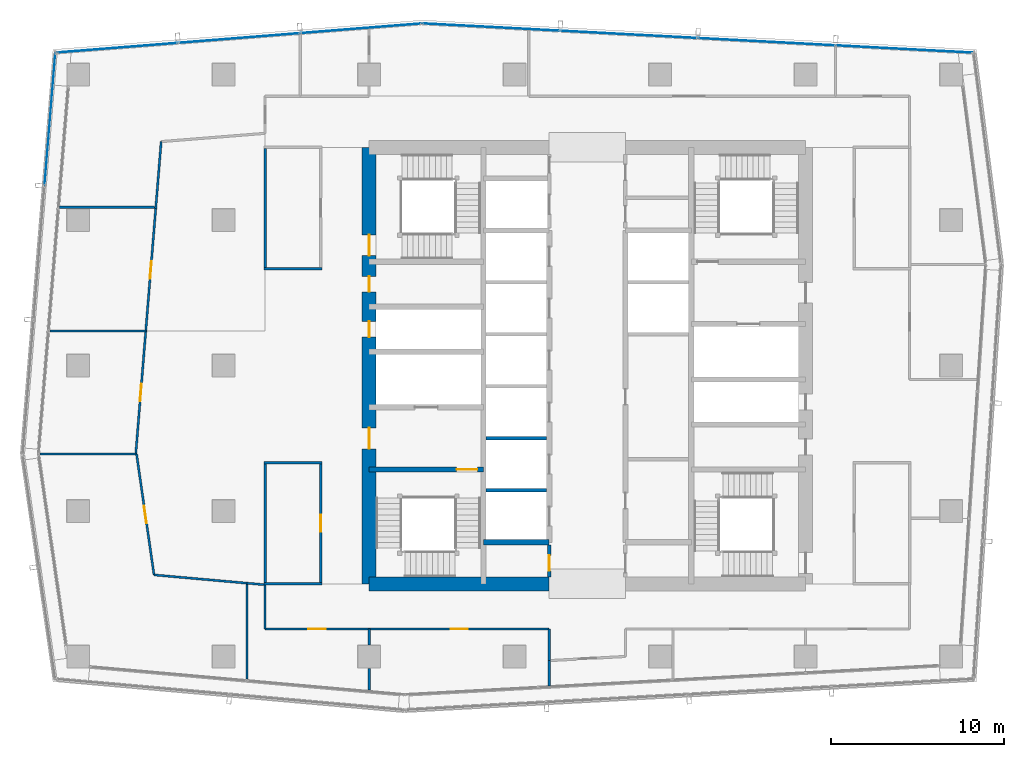
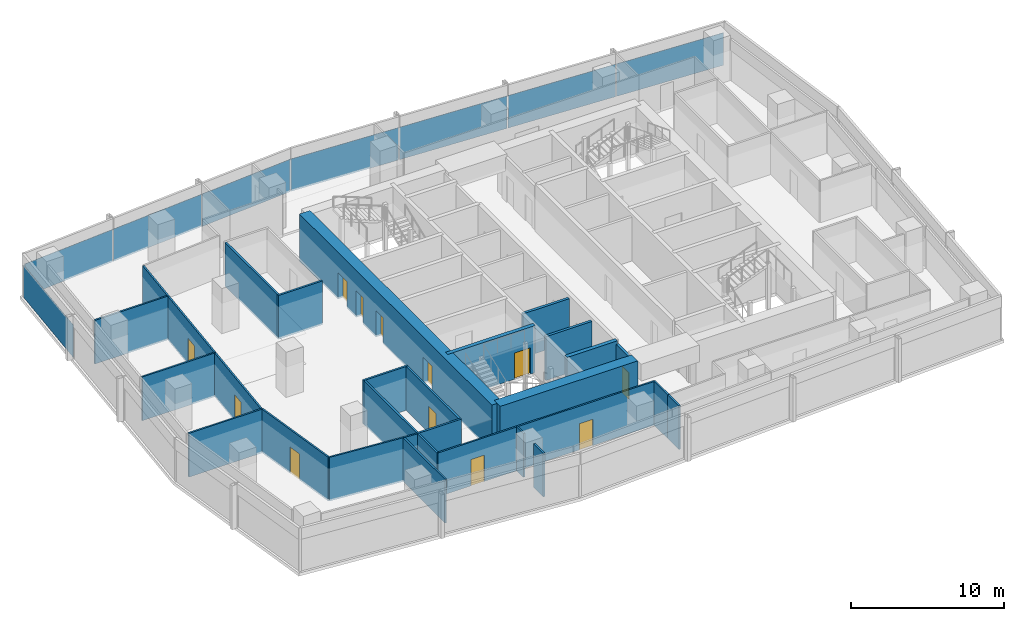
# One storey, part 22 of 29: 30 walls, 12 doors, 8 plates, 12 openings, 3 elements without a shape of their own.
"""IFC4 building model written with IfcOpenShell, lengths in metres."""

from ifc_helpers import new_model, si_unit, direction, frame, frame_2d, origin, origin_2d, place, context, subcontext, project, spatial, rectangle, extrude, material, layer, layer_set, type_object, element, fill, aggregate, save


model = new_model("IFC4")

# Units and contexts
model_context = context("Model", 3, precision=1e-05, world=origin(), true_north=direction((0.0, 1.0)))
body_context = subcontext(model_context, "Body", "Model", "MODEL_VIEW")
ifc_project = project(units=[si_unit("LENGTHUNIT", "METRE"), si_unit("AREAUNIT", "SQUARE_METRE"), si_unit("VOLUMEUNIT", "CUBIC_METRE"), si_unit("PLANEANGLEUNIT", "RADIAN"), si_unit("MASSUNIT", "GRAM", prefix="KILO")], contexts=[model_context])

# Site, building, storey
site_placement = place(None, origin())
site = spatial("IfcSite", under=ifc_project, at=site_placement, CompositionType="ELEMENT")
building_placement = place(site_placement, origin())
building = spatial("IfcBuilding", under=site, at=building_placement, Name="Rekha Terrace Tower", CompositionType="ELEMENT")
storey_placement = place(building_placement, frame((0.0, 0.0, 280.10009765625)))
storey = spatial("IfcBuildingStorey", under=building, at=storey_placement, Name="L71", CompositionType="ELEMENT", Elevation=280.10009765625)

# Curtain wall, plate
ifc_material_1 = material(Name="Aluminium framing", Category="aluminium")
curtain_wall_type_1 = type_object("IfcCurtainWallType", Name="CW2 double skin outer glazing", PredefinedType="USERDEFINED", material=ifc_material_1)
curtain_wall_1_placement = place(storey_placement, origin())
curtain_wall_1 = element("IfcCurtainWall", 1, at=curtain_wall_1_placement, inside=storey, type_object=curtain_wall_type_1, Name="CW2 double skin outer glazing", ObjectType="DOUBLE SKIN OUTER GLAZING", PredefinedType="USERDEFINED")
ifc_material_2 = material(Name="Toughened single glazing 12", Category="glass")
ifc_layer_1 = layer(ifc_material_2, 0.011962890625)
ifc_layer_set_1 = layer_set([ifc_layer_1], Name="Toughened single glazing 12")
plate_type_1 = type_object("IfcPlateType", Name="CW2 jumbo vision panel, toughened single glazing 12", PredefinedType="CURTAIN_PANEL", material=ifc_layer_set_1)
plate_1_placement = place(storey_placement, frame((6.7822265625, 47.813720703125, -0.000244140625), z_axis=(0.0, 0.0, 1.0), x_axis=(-0.081067906816, -0.996708580521, 0.0)))
plate_1 = element("IfcPlate", 2, at=plate_1_placement, type_object=plate_type_1, Name="CW2 panel 1.1", PredefinedType="CURTAIN_PANEL", context=body_context, shape_type="SweptSolid", body=[
    extrude(rectangle(XDim=7.640869140625, YDim=0.011962890625, at=origin_2d()), origin(), (0.0, 0.0, 1.0), 2.60009765625),
])
aggregate(curtain_wall_1, [plate_1])

# Curtain wall, plates
curtain_wall_type_2 = type_object("IfcCurtainWallType", Name="CW3 north unitised glazing", PredefinedType="USERDEFINED", material=ifc_material_1)
curtain_wall_2_placement = place(storey_placement, origin())
curtain_wall_2 = element("IfcCurtainWall", 3, at=curtain_wall_2_placement, inside=storey, type_object=curtain_wall_type_2, Name="CW3 unitised curtain wall", ObjectType="UNITISED CURTAIN WALL", PredefinedType="USERDEFINED")
ifc_material_3 = material(Name="Double-glazed unit 28", Category="glass")
ifc_layer_2 = layer(ifc_material_3, 0.028076171875)
ifc_layer_set_2 = layer_set([ifc_layer_2], Name="Double-glazed unit 28")
plate_type_2 = type_object("IfcPlateType", Name="CW3 jumbo vision panel, double-glazed unit 28", PredefinedType="CURTAIN_PANEL", material=ifc_layer_set_2)
plate_2_placement = place(storey_placement, frame((56.080322265625, 51.871337890625, -0.000244140625), z_axis=(0.0, 0.0, 1.0), x_axis=(-0.998590089005, 0.053083275524, 0.0)))
plate_2 = element("IfcPlate", 4, at=plate_2_placement, type_object=plate_type_2, Name="CW3 panel 1.1", PredefinedType="CURTAIN_PANEL", context=body_context, shape_type="SweptSolid", body=[
    extrude(rectangle(XDim=7.856201171875, YDim=0.028076171875, at=origin_2d()), origin(), (0.0, 0.0, 1.0), 2.60009765625),
])
plate_3_placement = place(storey_placement, frame((48.14794921875, 52.29296875, -0.000244140625), z_axis=(0.0, 0.0, 1.0), x_axis=(-0.998590089005, 0.053083275524, 0.0)))
plate_3 = element("IfcPlate", 5, at=plate_3_placement, type_object=plate_type_2, Name="CW3 panel 2.1", PredefinedType="CURTAIN_PANEL", context=body_context, shape_type="SweptSolid", body=[
    extrude(rectangle(XDim=7.891357421875, YDim=0.028076171875, at=origin_2d()), origin(), (0.0, 0.0, 1.0), 2.60009765625),
])
plate_4_placement = place(storey_placement, frame((40.19775390625, 52.715576171875, -0.000244140625), z_axis=(0.0, 0.0, 1.0), x_axis=(-0.998590089005, 0.053083275524, 0.0)))
plate_4 = element("IfcPlate", 6, at=plate_4_placement, type_object=plate_type_2, Name="CW3 panel 3.1", PredefinedType="CURTAIN_PANEL", context=body_context, shape_type="SweptSolid", body=[
    extrude(rectangle(XDim=7.891357421875, YDim=0.028076171875, at=origin_2d()), origin(), (0.0, 0.0, 1.0), 2.60009765625),
])
plate_5_placement = place(storey_placement, frame((32.230224609375, 53.13916015625, -0.000244140625), z_axis=(0.0, 0.0, 1.0), x_axis=(-0.998590089005, 0.053083275524, 0.0)))
plate_5 = element("IfcPlate", 7, at=plate_5_placement, type_object=plate_type_2, Name="CW3 panel 4.1", PredefinedType="CURTAIN_PANEL", context=body_context, shape_type="SweptSolid", body=[
    extrude(rectangle(XDim=7.92626953125, YDim=0.028076171875, at=origin_2d()), origin(), (0.0, 0.0, 1.0), 2.60009765625),
])
aggregate(curtain_wall_2, [plate_2, plate_3, plate_4, plate_5])

curtain_wall_3_placement = place(storey_placement, origin())
curtain_wall_3 = element("IfcCurtainWall", 8, at=curtain_wall_3_placement, inside=storey, type_object=curtain_wall_type_2, Name="CW3 unitised curtain wall", ObjectType="UNITISED CURTAIN WALL", PredefinedType="USERDEFINED")
plate_6_placement = place(storey_placement, frame((24.732421875, 53.0673828125, -0.000244140625), z_axis=(0.0, 0.0, 1.0), x_axis=(-0.996836058026, -0.07948505154, 0.0)))
plate_6 = element("IfcPlate", 9, at=plate_6_placement, type_object=plate_type_2, Name="CW3 panel 1.1", PredefinedType="CURTAIN_PANEL", context=body_context, shape_type="SweptSolid", body=[
    extrude(rectangle(XDim=6.963134765625, YDim=0.028076171875, at=origin_2d()), origin(), (0.0, 0.0, 1.0), 2.60009765625),
])
plate_7_placement = place(storey_placement, frame((17.7041015625, 52.5068359375, -0.000244140625), z_axis=(0.0, 0.0, 1.0), x_axis=(-0.996836058026, -0.07948505154, 0.0)))
plate_7 = element("IfcPlate", 10, at=plate_7_placement, type_object=plate_type_2, Name="CW3 panel 2.1", PredefinedType="CURTAIN_PANEL", context=body_context, shape_type="SweptSolid", body=[
    extrude(rectangle(XDim=6.998046875, YDim=0.028076171875, at=origin_2d()), origin(), (0.0, 0.0, 1.0), 2.60009765625),
])
plate_8_placement = place(storey_placement, frame((10.67578125, 51.946533203125, -0.000244140625), z_axis=(0.0, 0.0, 1.0), x_axis=(-0.996836058026, -0.07948505154, 0.0)))
plate_8 = element("IfcPlate", 11, at=plate_8_placement, type_object=plate_type_2, Name="CW3 panel 3.1", PredefinedType="CURTAIN_PANEL", context=body_context, shape_type="SweptSolid", body=[
    extrude(rectangle(XDim=6.963134765625, YDim=0.028076171875, at=origin_2d()), origin(), (0.0, 0.0, 1.0), 2.60009765625),
])
aggregate(curtain_wall_3, [plate_6, plate_7, plate_8])

# Wall
ifc_material_4 = material(Name="Concrete M60", Category="concrete")
ifc_layer_3 = layer(ifc_material_4, 0.300048828125)
ifc_layer_set_3 = layer_set([ifc_layer_3], Name="Concrete M60")
wall_type_1 = type_object("IfcWallType", Name="CI5 300 core internal shear wall", PredefinedType="SHEAR", material=ifc_layer_set_3)
wall_1_placement = place(storey_placement, frame((31.800048828125, 23.39990234375, 0.0), z_axis=(0.0, 0.0, 1.0), x_axis=(1.0, 0.0, 0.0)))
element("IfcWall", 12, at=wall_1_placement, inside=storey, type_object=wall_type_1, Name="Core wall Y234W L71", PredefinedType="SHEAR", context=body_context, shape_type="SweptSolid", body=[
    extrude(rectangle(XDim=3.800048828125, YDim=0.300048828125, at=frame_2d((1.89990234375, 0.0))), origin(), (0.0, 0.0, 1.0), 3.75),
])

# Wall, opening, door
wall_2_placement = place(storey_placement, frame((25.199951171875, 27.60009765625, 0.0), z_axis=(0.0, 0.0, 1.0), x_axis=(1.0, 0.0, 0.0)))
wall_2 = element("IfcWall", 13, at=wall_2_placement, inside=storey, type_object=wall_type_1, Name="Core wall Y276W L71", PredefinedType="SHEAR", context=body_context, shape_type="SweptSolid", body=[
    extrude(rectangle(XDim=6.60009765625, YDim=0.300048828125, at=frame_2d((3.300048828125, 0.0))), origin(), (0.0, 0.0, 1.0), 3.75),
])
opening_1_placement = place(wall_2_placement, frame((5.050048828125, 0.0, 0.0)))
opening_1 = element("IfcOpeningElement", 14, at=opening_1_placement, cuts=wall_2, Name="Opening D1", PredefinedType="OPENING", context=body_context, shape_type="SweptSolid", body=[
    extrude(rectangle(XDim=1.199951171875, YDim=2.10009765625, at=frame_2d((0.60009765625, 1.050048828125))), frame((0.0, 0.159912109375, 0.0), z_axis=(0.0, -1.0, 0.0), x_axis=(1.0, 0.0, 0.0)), (0.0, 0.0, 1.0), 0.320068359375),
])
ifc_material_5 = material(Name="Steel fire door", Category="steel")
door_type_1 = type_object("IfcDoorType", Name="D1 1200x2100 stair fire door", OperationType="SINGLE_SWING_RIGHT", PredefinedType="DOOR", material=ifc_material_5)
door_1_placement = place(opening_1_placement, origin())
door_1 = element("IfcDoor", 15, at=door_1_placement, inside=storey, type_object=door_type_1, Name="Stair ST1 door L71", OperationType="SINGLE_SWING_RIGHT", OverallHeight=2.10009765625, OverallWidth=1.199951171875, PredefinedType="DOOR", context=body_context, shape_type="SweptSolid", body=[
    extrude(rectangle(XDim=1.199951171875, YDim=2.10009765625, at=frame_2d((0.60009765625, 1.050048828125))), frame((0.0, 0.02490234375, 0.0), z_axis=(0.0, -1.0, 0.0), x_axis=(1.0, 0.0, 0.0)), (0.0, 0.0, 1.0), 0.050048828125),
])
fill(opening_1, door_1)

# Wall
ifc_layer_4 = layer(ifc_material_4, 0.800048828125)
ifc_layer_set_4 = layer_set([ifc_layer_4], Name="Concrete M60")
wall_type_2 = type_object("IfcWallType", Name="SW5 800 core outer shear wall", PredefinedType="SHEAR", material=ifc_layer_set_4)
wall_3_placement = place(storey_placement, frame((25.199951171875, 21.0, 0.0), z_axis=(0.0, 0.0, 1.0), x_axis=(1.0, 0.0, 0.0)))
element("IfcWall", 16, at=wall_3_placement, inside=storey, type_object=wall_type_2, Name="Core wall S1 L71", PredefinedType="SHEAR", context=body_context, shape_type="SweptSolid", body=[
    extrude(rectangle(XDim=10.400146484375, YDim=0.800048828125, at=frame_2d((5.2001953125, 0.0))), origin(), (0.0, 0.0, 1.0), 3.75),
])

# Wall, openings, doors
wall_4_placement = place(storey_placement, frame((25.199951171875, 21.0, 0.0), z_axis=(0.0, 0.0, 1.0), x_axis=(0.0, 1.0, 0.0)))
wall_4 = element("IfcWall", 17, at=wall_4_placement, inside=storey, type_object=wall_type_2, Name="Core wall W L71", PredefinedType="SHEAR", context=body_context, shape_type="SweptSolid", body=[
    extrude(rectangle(XDim=25.199951171875, YDim=0.800048828125, at=frame_2d((12.60009765625, 0.0))), origin(), (0.0, 0.0, 1.0), 3.75),
])
opening_2_placement = place(wall_4_placement, frame((7.800048828125, 0.0, 0.0)))
opening_2 = element("IfcOpeningElement", 18, at=opening_2_placement, cuts=wall_4, Name="Opening D2", PredefinedType="OPENING", context=body_context, shape_type="SweptSolid", body=[
    extrude(rectangle(XDim=1.199951171875, YDim=2.10009765625, at=frame_2d((0.60009765625, 1.050048828125))), frame((0.0, 0.409912109375, 0.0), z_axis=(0.0, -1.0, 0.0), x_axis=(1.0, 0.0, 0.0)), (0.0, 0.0, 1.0), 0.820068359375),
])
opening_3_placement = place(wall_4_placement, frame((14.25, 0.0, 0.0)))
opening_3 = element("IfcOpeningElement", 19, at=opening_3_placement, cuts=wall_4, Name="Opening D5", PredefinedType="OPENING", context=body_context, shape_type="SweptSolid", body=[
    extrude(rectangle(XDim=0.89990234375, YDim=2.10009765625, at=frame_2d((0.449951171875, 1.050048828125))), frame((0.0, 0.409912109375, 0.0), z_axis=(0.0, -1.0, 0.0), x_axis=(1.0, 0.0, 0.0)), (0.0, 0.0, 1.0), 0.820068359375),
])
opening_4_placement = place(wall_4_placement, frame((16.85009765625, 0.0, 0.0)))
opening_4 = element("IfcOpeningElement", 20, at=opening_4_placement, cuts=wall_4, Name="Opening D5", PredefinedType="OPENING", context=body_context, shape_type="SweptSolid", body=[
    extrude(rectangle(XDim=0.89990234375, YDim=2.10009765625, at=frame_2d((0.449951171875, 1.050048828125))), frame((0.0, 0.409912109375, 0.0), z_axis=(0.0, -1.0, 0.0), x_axis=(1.0, 0.0, 0.0)), (0.0, 0.0, 1.0), 0.820068359375),
])
opening_5_placement = place(wall_4_placement, frame((18.949951171875, 0.0, 0.0)))
opening_5 = element("IfcOpeningElement", 21, at=opening_5_placement, cuts=wall_4, Name="Opening D1", PredefinedType="OPENING", context=body_context, shape_type="SweptSolid", body=[
    extrude(rectangle(XDim=1.199951171875, YDim=2.10009765625, at=frame_2d((0.60009765625, 1.050048828125))), frame((0.0, 0.409912109375, 0.0), z_axis=(0.0, -1.0, 0.0), x_axis=(1.0, 0.0, 0.0)), (0.0, 0.0, 1.0), 0.820068359375),
])
door_2_placement = place(opening_5_placement, origin())
door_2 = element("IfcDoor", 22, at=door_2_placement, inside=storey, type_object=door_type_1, Name="Stair ST4 door L71", OperationType="SINGLE_SWING_RIGHT", OverallHeight=2.10009765625, OverallWidth=1.199951171875, PredefinedType="DOOR", context=body_context, shape_type="SweptSolid", body=[
    extrude(rectangle(XDim=1.199951171875, YDim=2.10009765625, at=frame_2d((0.60009765625, 1.050048828125))), frame((0.0, 0.02490234375, 0.0), z_axis=(0.0, -1.0, 0.0), x_axis=(1.0, 0.0, 0.0)), (0.0, 0.0, 1.0), 0.050048828125),
])
fill(opening_5, door_2)
door_type_2 = type_object("IfcDoorType", Name="D2 1200x2100 firefighting lobby door", OperationType="SINGLE_SWING_LEFT", PredefinedType="DOOR", material=ifc_material_5)
door_3_placement = place(opening_2_placement, origin())
door_3 = element("IfcDoor", 23, at=door_3_placement, inside=storey, type_object=door_type_2, Name="Door flb1 L71", OperationType="SINGLE_SWING_LEFT", OverallHeight=2.10009765625, OverallWidth=1.199951171875, PredefinedType="DOOR", context=body_context, shape_type="SweptSolid", body=[
    extrude(rectangle(XDim=1.199951171875, YDim=2.10009765625, at=frame_2d((0.60009765625, 1.050048828125))), frame((0.0, 0.02490234375, 0.0), z_axis=(0.0, -1.0, 0.0), x_axis=(1.0, 0.0, 0.0)), (0.0, 0.0, 1.0), 0.050048828125),
])
fill(opening_2, door_3)
door_type_3 = type_object("IfcDoorType", Name="D5 900x2100 riser access door", OperationType="SINGLE_SWING_LEFT", PredefinedType="DOOR", material=ifc_material_5)
door_4_placement = place(opening_3_placement, origin())
door_4 = element("IfcDoor", 24, at=door_4_placement, inside=storey, type_object=door_type_3, Name="Door rs1 L71", OperationType="SINGLE_SWING_LEFT", OverallHeight=2.10009765625, OverallWidth=0.89990234375, PredefinedType="DOOR", context=body_context, shape_type="SweptSolid", body=[
    extrude(rectangle(XDim=0.89990234375, YDim=2.10009765625, at=frame_2d((0.449951171875, 1.050048828125))), frame((0.0, 0.02490234375, 0.0), z_axis=(0.0, -1.0, 0.0), x_axis=(1.0, 0.0, 0.0)), (0.0, 0.0, 1.0), 0.050048828125),
])
fill(opening_3, door_4)
door_5_placement = place(opening_4_placement, origin())
door_5 = element("IfcDoor", 25, at=door_5_placement, inside=storey, type_object=door_type_3, Name="Door elw L71", OperationType="SINGLE_SWING_LEFT", OverallHeight=2.10009765625, OverallWidth=0.89990234375, PredefinedType="DOOR", context=body_context, shape_type="SweptSolid", body=[
    extrude(rectangle(XDim=0.89990234375, YDim=2.10009765625, at=frame_2d((0.449951171875, 1.050048828125))), frame((0.0, 0.02490234375, 0.0), z_axis=(0.0, -1.0, 0.0), x_axis=(1.0, 0.0, 0.0)), (0.0, 0.0, 1.0), 0.050048828125),
])
fill(opening_4, door_5)

# Walls
ifc_material_6 = material(Name="Concrete block masonry, 1 hour", Category="masonry")
ifc_layer_5 = layer(ifc_material_6, 0.14990234375)
ifc_layer_set_5 = layer_set([ifc_layer_5], Name="Concrete block masonry, 1 hour")
wall_type_3 = type_object("IfcWallType", Name="WP2 150 tenancy partition", PredefinedType="PARTITIONING", material=ifc_layer_set_5)
wall_5_placement = place(storey_placement, frame((19.125, 39.199951171875, 0.0), z_axis=(0.0, 0.0, 1.0), x_axis=(1.0, 0.0, 0.0)))
element("IfcWall", 26, at=wall_5_placement, inside=storey, type_object=wall_type_3, Name="Women's WC wall L71", PredefinedType="PARTITIONING", context=body_context, shape_type="SweptSolid", body=[
    extrude(rectangle(XDim=3.35009765625, YDim=0.14990234375, at=frame_2d((1.675048828125, 0.0))), origin(), (0.0, 0.0, 1.0), 3.5),
])
wall_6_placement = place(storey_placement, frame((19.199951171875, 39.27490234375, 0.0), z_axis=(0.0, 0.0, 1.0), x_axis=(0.0, 1.0, 0.0)))
element("IfcWall", 27, at=wall_6_placement, inside=storey, type_object=wall_type_3, Name="Women's WC wall L71", PredefinedType="PARTITIONING", context=body_context, shape_type="SweptSolid", body=[
    extrude(rectangle(XDim=6.85009765625, YDim=0.14990234375, at=frame_2d((3.425048828125, 0.0))), origin(), (0.0, 0.0, 1.0), 3.5),
])
for number, where, z_axis, x_axis, name in (
    (28, (19.125, 21.0, 0.0), (0.0, 0.0, 1.0), (1.0, 0.0, 0.0), "Men's WC wall L71"),
    (29, (19.125, 28.0, 0.0), (0.0, 0.0, 1.0), (1.0, 0.0, 0.0), "Men's WC wall L71"),
):
    element("IfcWall", number, at=place(storey_placement, frame(where, z_axis=z_axis, x_axis=x_axis)), inside=storey, type_object=wall_type_3, Name=name, PredefinedType="PARTITIONING", context=body_context, shape_type="SweptSolid", body=[
        extrude(rectangle(XDim=3.35009765625, YDim=0.14990234375, at=frame_2d((1.675048828125, 0.0))), origin(), (0.0, 0.0, 1.0), 3.5),
    ])
wall_7_placement = place(storey_placement, frame((19.199951171875, 21.074951171875, 0.0), z_axis=(0.0, 0.0, 1.0), x_axis=(0.0, 1.0, 0.0)))
element("IfcWall", 30, at=wall_7_placement, inside=storey, type_object=wall_type_3, Name="Men's WC wall L71", PredefinedType="PARTITIONING", context=body_context, shape_type="SweptSolid", body=[
    extrude(rectangle(XDim=6.85009765625, YDim=0.14990234375, at=frame_2d((3.425048828125, 0.0))), origin(), (0.0, 0.0, 1.0), 3.5),
])

# Wall, opening, door
wall_8_placement = place(storey_placement, frame((22.39990234375, 21.074951171875, 0.0), z_axis=(0.0, 0.0, 1.0), x_axis=(0.0, 1.0, 0.0)))
wall_8 = element("IfcWall", 31, at=wall_8_placement, inside=storey, type_object=wall_type_3, Name="Men's WC wall L71", PredefinedType="PARTITIONING", context=body_context, shape_type="SweptSolid", body=[
    extrude(rectangle(XDim=6.85009765625, YDim=0.14990234375, at=frame_2d((3.425048828125, 0.0))), origin(), (0.0, 0.0, 1.0), 3.5),
])
opening_6_placement = place(wall_8_placement, frame((2.925048828125, 0.0, 0.0)))
opening_6 = element("IfcOpeningElement", 32, at=opening_6_placement, cuts=wall_8, Name="Opening D3", PredefinedType="OPENING", context=body_context, shape_type="SweptSolid", body=[
    extrude(rectangle(XDim=1.0, YDim=2.10009765625, at=frame_2d((0.5, 1.050048828125))), frame((0.0, 0.0849609375, 0.0), z_axis=(0.0, -1.0, 0.0), x_axis=(1.0, 0.0, 0.0)), (0.0, 0.0, 1.0), 0.169921875),
])
ifc_material_7 = material(Name="Laminated timber fire door", Category="wood")
door_type_4 = type_object("IfcDoorType", Name="D3 1000x2100 WC door", OperationType="SINGLE_SWING_LEFT", PredefinedType="DOOR", material=ifc_material_7)
door_6_placement = place(opening_6_placement, origin())
door_6 = element("IfcDoor", 33, at=door_6_placement, inside=storey, type_object=door_type_4, Name="Door men's wc L71", OperationType="SINGLE_SWING_LEFT", OverallHeight=2.10009765625, OverallWidth=1.0, PredefinedType="DOOR", context=body_context, shape_type="SweptSolid", body=[
    extrude(rectangle(XDim=1.0, YDim=2.10009765625, at=frame_2d((0.5, 1.050048828125))), frame((0.0, 0.02490234375, 0.0), z_axis=(0.0, -1.0, 0.0), x_axis=(1.0, 0.0, 0.0)), (0.0, 0.0, 1.0), 0.050048828125),
])
fill(opening_6, door_6)

# Walls
ifc_material_8 = material(Name="Two layers of fire-rated gypsum board each side on steel studs, acoustic quilt, 1 hour", Category="steel")
ifc_layer_6 = layer(ifc_material_8, 0.125)
ifc_layer_set_6 = layer_set([ifc_layer_6], Name="Two layers of fire-rated gypsum board each side on steel studs, acoustic quilt, 1 hour")
wall_type_4 = type_object("IfcWallType", Name="WP3 125 office partition", PredefinedType="PARTITIONING", material=ifc_layer_set_6)
wall_9_placement = place(storey_placement, frame((13.198974609375, 46.530029296875, 0.0), z_axis=(0.0, 0.0, 1.0), x_axis=(-0.081048669132, -0.996710145043, 0.0)))
element("IfcWall", 34, at=wall_9_placement, inside=storey, type_object=wall_type_4, Name="Partition L71-06", PredefinedType="PARTITIONING", context=body_context, shape_type="SweptSolid", body=[
    extrude(rectangle(XDim=3.8857421875, YDim=0.125, at=frame_2d((1.94287109375, 0.0))), origin(), (0.0, 0.0, 1.0), 3.5),
])
wall_10_placement = place(storey_placement, frame((12.827880859375, 42.741943359375, 0.0), z_axis=(0.0, 0.0, 1.0), x_axis=(-1.0, 0.0, 0.0)))
element("IfcWall", 35, at=wall_10_placement, inside=storey, type_object=wall_type_4, Name="Partition L71-06", PredefinedType="PARTITIONING", context=body_context, shape_type="SweptSolid", body=[
    extrude(rectangle(XDim=5.5048828125, YDim=0.125, at=frame_2d((2.75244140625, 0.0))), origin(), (0.0, 0.0, 1.0), 3.5),
])

# Wall, opening, door
wall_11_placement = place(storey_placement, frame((12.884033203125, 42.656005859375, 0.0), z_axis=(0.0, 0.0, 1.0), x_axis=(-0.08110159124, -0.996705840205, 0.0)))
wall_11 = element("IfcWall", 36, at=wall_11_placement, inside=storey, type_object=wall_type_4, Name="Partition L71-07", PredefinedType="PARTITIONING", context=body_context, shape_type="SweptSolid", body=[
    extrude(rectangle(XDim=7.08935546875, YDim=0.125, at=frame_2d((3.544677734375, 0.0))), origin(), (0.0, 0.0, 1.0), 3.5),
])
opening_7_placement = place(wall_11_placement, frame((3.044921875, 0.0, 0.0)))
opening_7 = element("IfcOpeningElement", 37, at=opening_7_placement, cuts=wall_11, Name="Opening D9", PredefinedType="OPENING", context=body_context, shape_type="SweptSolid", body=[
    extrude(rectangle(XDim=1.0, YDim=2.10009765625, at=frame_2d((0.5, 1.050048828125))), frame((0.0, 0.072509765625, 0.0), z_axis=(0.0, -1.0, 0.0), x_axis=(1.0, 0.0, 0.0)), (0.0, 0.0, 1.0), 0.14501953125),
])
ifc_material_9 = material(Name="Timber fire door", Category="wood")
door_type_5 = type_object("IfcDoorType", Name="D9 1000x2100 office door", OperationType="SINGLE_SWING_LEFT", PredefinedType="DOOR", material=ifc_material_9)
door_7_placement = place(opening_7_placement, origin())
door_7 = element("IfcDoor", 38, at=door_7_placement, inside=storey, type_object=door_type_5, Name="Door board meeting room L71", OperationType="SINGLE_SWING_LEFT", OverallHeight=2.10009765625, OverallWidth=1.0, PredefinedType="DOOR", context=body_context, shape_type="SweptSolid", body=[
    extrude(rectangle(XDim=1.0, YDim=2.10009765625, at=frame_2d((0.5, 1.050048828125))), frame((0.0, 0.02490234375, 0.0), z_axis=(0.0, -1.0, 0.0), x_axis=(1.0, 0.0, 0.0)), (0.0, 0.0, 1.0), 0.050048828125),
])
fill(opening_7, door_7)

# Walls
wall_12_placement = place(storey_placement, frame((12.30908203125, 35.590087890625, 0.0), z_axis=(0.0, 0.0, 1.0), x_axis=(-1.0, 0.0, 0.0)))
element("IfcWall", 39, at=wall_12_placement, inside=storey, type_object=wall_type_4, Name="Partition L71-07", PredefinedType="PARTITIONING", context=body_context, shape_type="SweptSolid", body=[
    extrude(rectangle(XDim=5.5380859375, YDim=0.125, at=frame_2d((2.76904296875, 0.0))), origin(), (0.0, 0.0, 1.0), 3.5),
])
wall_13_placement = place(storey_placement, frame((35.59912109375, 15.118896484375, 0.0), z_axis=(0.0, 0.0, 1.0), x_axis=(0.0, 1.0, 0.0)))
element("IfcWall", 40, at=wall_13_placement, inside=storey, type_object=wall_type_4, Name="Partition L71-08", PredefinedType="PARTITIONING", context=body_context, shape_type="SweptSolid", body=[
    extrude(rectangle(XDim=1.4521484375, YDim=0.125, at=frame_2d((0.72607421875, 0.0))), origin(), (0.0, 0.0, 1.0), 3.5),
])

# Wall, opening, door
wall_14_placement = place(storey_placement, frame((12.30908203125, 35.589111328125, 0.0), z_axis=(0.0, 0.0, 1.0), x_axis=(-0.081053384124, -0.996709761627, 0.0)))
wall_14 = element("IfcWall", 41, at=wall_14_placement, inside=storey, type_object=wall_type_4, Name="Partition L71-11", PredefinedType="PARTITIONING", context=body_context, shape_type="SweptSolid", body=[
    extrude(rectangle(XDim=7.12060546875, YDim=0.125, at=frame_2d((3.560302734375, 0.0))), origin(), (0.0, 0.0, 1.0), 3.5),
])
opening_8_placement = place(wall_14_placement, frame((3.06005859375, 0.0, 0.0)))
opening_8 = element("IfcOpeningElement", 42, at=opening_8_placement, cuts=wall_14, Name="Opening D9", PredefinedType="OPENING", context=body_context, shape_type="SweptSolid", body=[
    extrude(rectangle(XDim=1.0, YDim=2.10009765625, at=frame_2d((0.5, 1.050048828125))), frame((0.0, 0.072509765625, 0.0), z_axis=(0.0, -1.0, 0.0), x_axis=(1.0, 0.0, 0.0)), (0.0, 0.0, 1.0), 0.14501953125),
])
door_8_placement = place(opening_8_placement, origin())
door_8 = element("IfcDoor", 43, at=door_8_placement, inside=storey, type_object=door_type_5, Name="Door wellness room L71", OperationType="SINGLE_SWING_LEFT", OverallHeight=2.10009765625, OverallWidth=1.0, PredefinedType="DOOR", context=body_context, shape_type="SweptSolid", body=[
    extrude(rectangle(XDim=1.0, YDim=2.10009765625, at=frame_2d((0.5, 1.050048828125))), frame((0.0, 0.02490234375, 0.0), z_axis=(0.0, -1.0, 0.0), x_axis=(1.0, 0.0, 0.0)), (0.0, 0.0, 1.0), 0.050048828125),
])
fill(opening_8, door_8)

# Wall
wall_15_placement = place(storey_placement, frame((11.73193359375, 28.491943359375, 0.0), z_axis=(0.0, 0.0, 1.0), x_axis=(-1.0, 0.0, 0.0)))
element("IfcWall", 44, at=wall_15_placement, inside=storey, type_object=wall_type_4, Name="Partition L71-11", PredefinedType="PARTITIONING", context=body_context, shape_type="SweptSolid", body=[
    extrude(rectangle(XDim=5.531005859375, YDim=0.125, at=frame_2d((2.765625, 0.0))), origin(), (0.0, 0.0, 1.0), 3.5),
])

# Wall, opening, door
wall_16_placement = place(storey_placement, frame((11.779052734375, 28.488037109375, 0.0), z_axis=(0.0, 0.0, 1.0), x_axis=(0.143139230014, -0.989702561799, 0.0)))
wall_16 = element("IfcWall", 45, at=wall_16_placement, inside=storey, type_object=wall_type_4, Name="Partition L71-12", PredefinedType="PARTITIONING", context=body_context, shape_type="SweptSolid", body=[
    extrude(rectangle(XDim=7.04248046875, YDim=0.125, at=frame_2d((3.521240234375, 0.0))), origin(), (0.0, 0.0, 1.0), 3.5),
])
opening_9_placement = place(wall_16_placement, frame((3.02001953125, 0.0, 0.0)))
opening_9 = element("IfcOpeningElement", 46, at=opening_9_placement, cuts=wall_16, Name="Opening D9", PredefinedType="OPENING", context=body_context, shape_type="SweptSolid", body=[
    extrude(rectangle(XDim=1.0, YDim=2.10009765625, at=frame_2d((0.5, 1.050048828125))), frame((0.0, 0.072509765625, 0.0), z_axis=(0.0, -1.0, 0.0), x_axis=(1.0, 0.0, 0.0)), (0.0, 0.0, 1.0), 0.14501953125),
])
door_9_placement = place(opening_9_placement, origin())
door_9 = element("IfcDoor", 47, at=door_9_placement, inside=storey, type_object=door_type_5, Name="Door director's office L71", OperationType="SINGLE_SWING_LEFT", OverallHeight=2.10009765625, OverallWidth=1.0, PredefinedType="DOOR", context=body_context, shape_type="SweptSolid", body=[
    extrude(rectangle(XDim=1.0, YDim=2.10009765625, at=frame_2d((0.5, 1.050048828125))), frame((0.0, 0.02490234375, 0.0), z_axis=(0.0, -1.0, 0.0), x_axis=(1.0, 0.0, 0.0)), (0.0, 0.0, 1.0), 0.050048828125),
])
fill(opening_9, door_9)

# Walls
wall_17_placement = place(storey_placement, frame((12.787109375, 21.51806640625, 0.0), z_axis=(0.0, 0.0, 1.0), x_axis=(0.996065348673, -0.088621787237, 0.0)))
element("IfcWall", 48, at=wall_17_placement, inside=storey, type_object=wall_type_4, Name="Partition L71-12", PredefinedType="PARTITIONING", context=body_context, shape_type="SweptSolid", body=[
    extrude(rectangle(XDim=5.383056640625, YDim=0.125, at=frame_2d((2.69140625, 0.0))), origin(), (0.0, 0.0, 1.0), 3.5),
])
wall_18_placement = place(storey_placement, frame((18.14892578125, 21.041015625, 0.0), z_axis=(0.0, 0.0, 1.0), x_axis=(0.0, -1.0, 0.0)))
element("IfcWall", 49, at=wall_18_placement, inside=storey, type_object=wall_type_4, Name="Partition L71-12", PredefinedType="PARTITIONING", context=body_context, shape_type="SweptSolid", body=[
    extrude(rectangle(XDim=5.541015625, YDim=0.125, at=frame_2d((2.7705078125, 0.0))), origin(), (0.0, 0.0, 1.0), 3.5),
])
wall_19_placement = place(storey_placement, frame((18.14990234375, 21.041015625, 0.0), z_axis=(0.0, 0.0, 1.0), x_axis=(0.996138836376, -0.087791905459, 0.0)))
element("IfcWall", 50, at=wall_19_placement, inside=storey, type_object=wall_type_4, Name="Partition L71-13", PredefinedType="PARTITIONING", context=body_context, shape_type="SweptSolid", body=[
    extrude(rectangle(XDim=0.978759765625, YDim=0.125, at=frame_2d((0.4892578125, 0.0))), origin(), (0.0, 0.0, 1.0), 3.5),
])
wall_20_placement = place(storey_placement, frame((19.199951171875, 20.925048828125, 0.0), z_axis=(0.0, 0.0, 1.0), x_axis=(0.0, -1.0, 0.0)))
element("IfcWall", 51, at=wall_20_placement, inside=storey, type_object=wall_type_4, Name="Partition L71-13", PredefinedType="PARTITIONING", context=body_context, shape_type="SweptSolid", body=[
    extrude(rectangle(XDim=2.525146484375, YDim=0.125, at=frame_2d((1.2626953125, 0.0))), origin(), (0.0, 0.0, 1.0), 3.5),
])

# Wall, opening, door
wall_21_placement = place(storey_placement, frame((19.199951171875, 18.39990234375, 0.0), z_axis=(0.0, 0.0, 1.0), x_axis=(1.0, 0.0, 0.0)))
wall_21 = element("IfcWall", 52, at=wall_21_placement, inside=storey, type_object=wall_type_4, Name="Partition L71-13", PredefinedType="PARTITIONING", context=body_context, shape_type="SweptSolid", body=[
    extrude(rectangle(XDim=6.006103515625, YDim=0.125, at=frame_2d((3.0029296875, 0.0))), origin(), (0.0, 0.0, 1.0), 3.5),
])
opening_10_placement = place(wall_21_placement, frame((2.5029296875, 0.0, 0.0)))
opening_10 = element("IfcOpeningElement", 53, at=opening_10_placement, cuts=wall_21, Name="Opening D9", PredefinedType="OPENING", context=body_context, shape_type="SweptSolid", body=[
    extrude(rectangle(XDim=1.0, YDim=2.10009765625, at=frame_2d((0.5, 1.050048828125))), frame((0.0, 0.072509765625, 0.0), z_axis=(0.0, -1.0, 0.0), x_axis=(1.0, 0.0, 0.0)), (0.0, 0.0, 1.0), 0.14501953125),
])
door_10_placement = place(opening_10_placement, origin())
door_10 = element("IfcDoor", 54, at=door_10_placement, inside=storey, type_object=door_type_5, Name="Door board meeting room L71", OperationType="SINGLE_SWING_LEFT", OverallHeight=2.10009765625, OverallWidth=1.0, PredefinedType="DOOR", context=body_context, shape_type="SweptSolid", body=[
    extrude(rectangle(XDim=1.0, YDim=2.10009765625, at=frame_2d((0.5, 1.050048828125))), frame((0.0, 0.02490234375, 0.0), z_axis=(0.0, -1.0, 0.0), x_axis=(1.0, 0.0, 0.0)), (0.0, 0.0, 1.0), 0.050048828125),
])
fill(opening_10, door_10)

# Walls
wall_22_placement = place(storey_placement, frame((25.2060546875, 18.39990234375, 0.0), z_axis=(0.0, 0.0, 1.0), x_axis=(0.0, -1.0, 0.0)))
element("IfcWall", 55, at=wall_22_placement, inside=storey, type_object=wall_type_4, Name="Partition L71-13", PredefinedType="PARTITIONING", context=body_context, shape_type="SweptSolid", body=[
    extrude(rectangle(XDim=0.929931640625, YDim=0.125, at=frame_2d((0.46484375, 0.0))), origin(), (0.0, 0.0, 1.0), 3.5),
])
wall_23_placement = place(storey_placement, frame((25.2060546875, 16.1298828125, 0.0), z_axis=(0.0, 0.0, 1.0), x_axis=(0.0, -1.0, 0.0)))
element("IfcWall", 56, at=wall_23_placement, inside=storey, type_object=wall_type_4, Name="Partition L71-13", PredefinedType="PARTITIONING", context=body_context, shape_type="SweptSolid", body=[
    extrude(rectangle(XDim=1.2578125, YDim=0.125, at=frame_2d((0.62890625, 0.0))), origin(), (0.0, 0.0, 1.0), 3.5),
])

# Wall, opening, door
wall_24_placement = place(storey_placement, frame((25.20703125, 18.39990234375, 0.0), z_axis=(0.0, 0.0, 1.0), x_axis=(1.0, 0.0, 0.0)))
wall_24 = element("IfcWall", 57, at=wall_24_placement, inside=storey, type_object=wall_type_4, Name="Partition L71-14", PredefinedType="PARTITIONING", context=body_context, shape_type="SweptSolid", body=[
    extrude(rectangle(XDim=10.390869140625, YDim=0.125, at=frame_2d((5.1953125, 0.0))), origin(), (0.0, 0.0, 1.0), 3.5),
])
opening_11_placement = place(wall_24_placement, frame((4.695068359375, 0.0, 0.0)))
opening_11 = element("IfcOpeningElement", 58, at=opening_11_placement, cuts=wall_24, Name="Opening D9", PredefinedType="OPENING", context=body_context, shape_type="SweptSolid", body=[
    extrude(rectangle(XDim=1.0, YDim=2.10009765625, at=frame_2d((0.5, 1.050048828125))), frame((0.0, 0.072509765625, 0.0), z_axis=(0.0, -1.0, 0.0), x_axis=(1.0, 0.0, 0.0)), (0.0, 0.0, 1.0), 0.14501953125),
])
door_11_placement = place(opening_11_placement, origin())
door_11 = element("IfcDoor", 59, at=door_11_placement, inside=storey, type_object=door_type_5, Name="Door wellness room L71", OperationType="SINGLE_SWING_LEFT", OverallHeight=2.10009765625, OverallWidth=1.0, PredefinedType="DOOR", context=body_context, shape_type="SweptSolid", body=[
    extrude(rectangle(XDim=1.0, YDim=2.10009765625, at=frame_2d((0.5, 1.050048828125))), frame((0.0, 0.02490234375, 0.0), z_axis=(0.0, -1.0, 0.0), x_axis=(1.0, 0.0, 0.0)), (0.0, 0.0, 1.0), 0.050048828125),
])
fill(opening_11, door_11)

# Walls
wall_25_placement = place(storey_placement, frame((35.597900390625, 18.39990234375, 0.0), z_axis=(0.0, 0.0, 1.0), x_axis=(0.0, -1.0, 0.0)))
element("IfcWall", 60, at=wall_25_placement, inside=storey, type_object=wall_type_4, Name="Partition L71-14", PredefinedType="PARTITIONING", context=body_context, shape_type="SweptSolid", body=[
    extrude(rectangle(XDim=1.828857421875, YDim=0.125, at=frame_2d((0.91455078125, 0.0))), origin(), (0.0, 0.0, 1.0), 3.5),
])
ifc_material_10 = material(Name="Solid concrete block masonry, 2 hour", Category="masonry")
ifc_layer_7 = layer(ifc_material_10, 0.199951171875)
ifc_layer_set_7 = layer_set([ifc_layer_7], Name="Solid concrete block masonry, 2 hour")
wall_type_5 = type_object("IfcWallType", Name="WS1 200 stair and shaft enclosure", PredefinedType="PARTITIONING", material=ifc_layer_set_7)
for number, where, z_axis, x_axis, name in (
    (61, (31.949951171875, 26.39990234375, 0.0), (0.0, 0.0, 1.0), (1.0, 0.0, 0.0), "Lift shaft divider L71"),
    (62, (31.949951171875, 29.39990234375, 0.0), (0.0, 0.0, 1.0), (1.0, 0.0, 0.0), "Lift shaft divider L71"),
):
    element("IfcWall", number, at=place(storey_placement, frame(where, z_axis=z_axis, x_axis=x_axis)), inside=storey, type_object=wall_type_5, Name=name, PredefinedType="PARTITIONING", context=body_context, shape_type="SweptSolid", body=[
        extrude(rectangle(XDim=3.5, YDim=0.199951171875, at=frame_2d((1.75, 0.0))), origin(), (0.0, 0.0, 1.0), 3.5),
    ])

# Wall, opening, door
wall_26_placement = place(storey_placement, frame((35.60009765625, 21.39990234375, 0.0), z_axis=(0.0, 0.0, 1.0), x_axis=(0.0, 1.0, 0.0)))
wall_26 = element("IfcWall", 63, at=wall_26_placement, inside=storey, type_object=wall_type_5, Name="Core partition west L71", PredefinedType="PARTITIONING", context=body_context, shape_type="SweptSolid", body=[
    extrude(rectangle(XDim=1.85009765625, YDim=0.199951171875, at=frame_2d((0.925048828125, 0.0))), origin(), (0.0, 0.0, 1.0), 3.5),
])
opening_12_placement = place(wall_26_placement, frame((0.35009765625, 0.0, 0.0)))
opening_12 = element("IfcOpeningElement", 64, at=opening_12_placement, cuts=wall_26, Name="Opening D5", PredefinedType="OPENING", context=body_context, shape_type="SweptSolid", body=[
    extrude(rectangle(XDim=0.89990234375, YDim=2.10009765625, at=frame_2d((0.449951171875, 1.050048828125))), frame((0.0, 0.10986328125, 0.0), z_axis=(0.0, -1.0, 0.0), x_axis=(1.0, 0.0, 0.0)), (0.0, 0.0, 1.0), 0.219970703125),
])
door_12_placement = place(opening_12_placement, origin())
door_12 = element("IfcDoor", 65, at=door_12_placement, inside=storey, type_object=door_type_3, Name="Door tenant store L71", OperationType="SINGLE_SWING_LEFT", OverallHeight=2.10009765625, OverallWidth=0.89990234375, PredefinedType="DOOR", context=body_context, shape_type="SweptSolid", body=[
    extrude(rectangle(XDim=0.89990234375, YDim=2.10009765625, at=frame_2d((0.449951171875, 1.050048828125))), frame((0.0, 0.02490234375, 0.0), z_axis=(0.0, -1.0, 0.0), x_axis=(1.0, 0.0, 0.0)), (0.0, 0.0, 1.0), 0.050048828125),
])
fill(opening_12, door_12)

save(model, "model.ifc")
